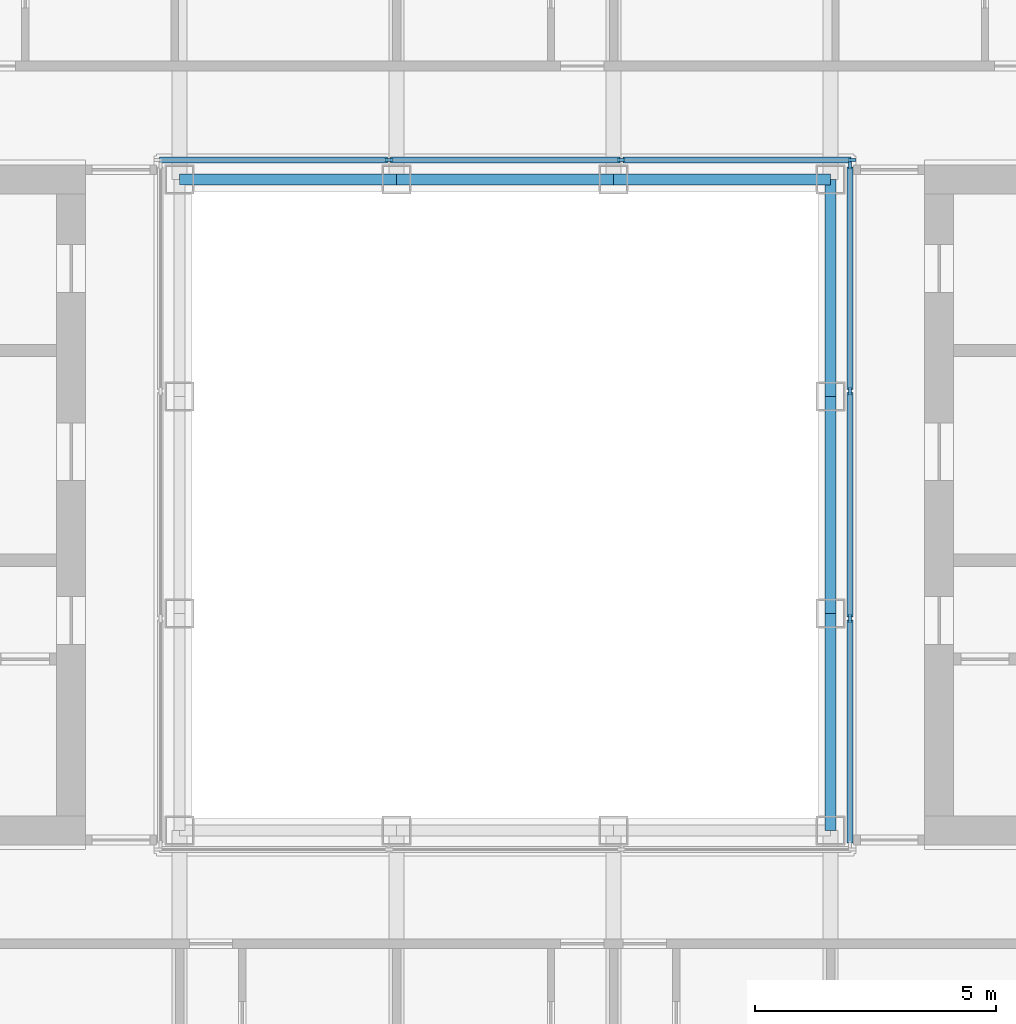
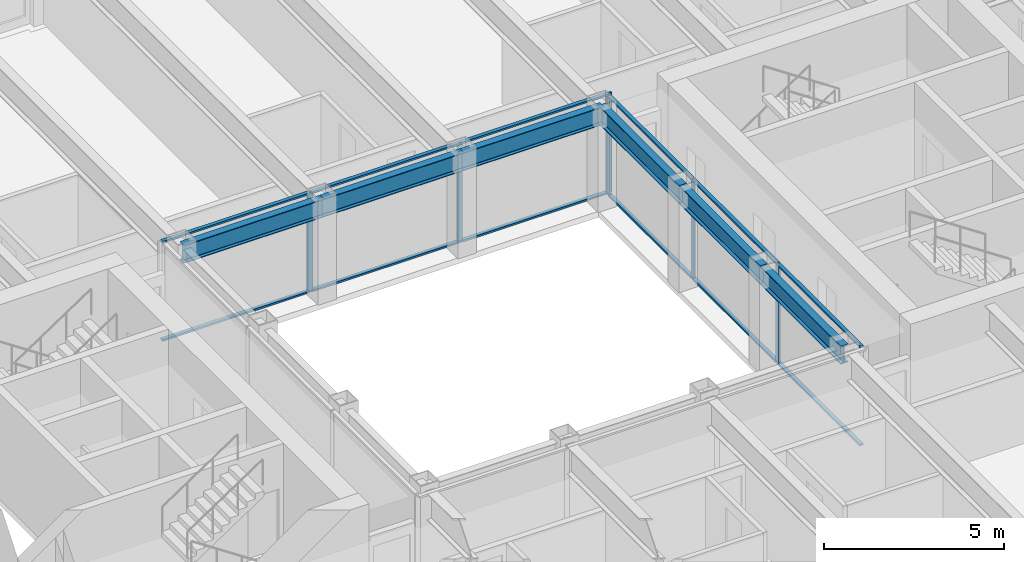
# One storey, part 5 of 17: 18 members, 6 beams, 2 elements without a shape of their own.
"""IFC4 building model written with IfcOpenShell, lengths in metres."""

import ifcopenshell
import ifcopenshell.guid

model = None  # the IFC model being written
_history = None  # IfcOwnerHistory: only IFC2X3 demands one
_inside = {}  # id of a spatial element -> (the spatial element, [elements in it])
_under = {}  # id of a project, library or spatial element -> (it, [spatial elements below it])
_declared = {}  # id of a project -> (the project, [libraries it declares])
_typed = {}  # id of a type object -> (the type object, [elements of that type])
_made_of = {}  # id of a material, layer set ... -> (it, [elements and type objects made of it])


def new_model(schema):
    """Start an empty IFC model of exactly this schema.

    Asked for "IFC4X3", IfcOpenShell would pick the latest addendum, in which some entities
    have other attributes; the version numbers below select the first issue.
    IFC2X3 requires an IfcOwnerHistory on every rooted entity: one is made here for all.
    """
    global model, _history
    if schema == "IFC4X3":
        model = ifcopenshell.file(schema_version=(4, 3, 0, 0))
    else:
        model = ifcopenshell.file(schema=schema)
    _inside.clear()
    _under.clear()
    _declared.clear()
    _typed.clear()
    _made_of.clear()
    _history = None
    if model.schema == "IFC2X3":
        org = make("IfcOrganization", Name="unknown")
        user = make(
            "IfcPersonAndOrganization",
            ThePerson=make("IfcPerson", FamilyName="unknown"),
            TheOrganization=org,
        )
        app = make(
            "IfcApplication",
            ApplicationDeveloper=org,
            Version="unknown",
            ApplicationFullName="unknown",
            ApplicationIdentifier="unknown",
        )
        _history = make(
            "IfcOwnerHistory",
            OwningUser=user,
            OwningApplication=app,
            ChangeAction="ADDED",
            CreationDate=0,
        )
    return model


def make(cls, **values):
    """One entity of the class cls with the attributes given. An attribute that is None is left unset."""
    return model.create_entity(
        cls, **{name: value for name, value in values.items() if value is not None}
    )


def rooted(cls, **values):
    """An entity with a GlobalId (a new one), such as an element, a storey or a relation."""
    return make(cls, GlobalId=ifcopenshell.guid.new(), OwnerHistory=_history, **values)


def si_unit(unit_type, name, prefix=None):
    """IfcSIUnit, for example si_unit("LENGTHUNIT", "METRE", prefix="MILLI")."""
    return make("IfcSIUnit", UnitType=unit_type, Prefix=prefix, Name=name)


def assignment(units):
    """IfcUnitAssignment: the units of a project."""
    return None if units is None else make("IfcUnitAssignment", Units=units)


def point(xyz):
    """IfcCartesianPoint."""
    return None if xyz is None else make("IfcCartesianPoint", Coordinates=xyz)


def direction(xyz):
    """IfcDirection."""
    return None if xyz is None else make("IfcDirection", DirectionRatios=xyz)


def frame(location, z_axis=None, x_axis=None):
    """IfcAxis2Placement3D, a coordinate frame: its origin and axes. An axis left out is left unset."""
    return make(
        "IfcAxis2Placement3D",
        Location=point(location),
        Axis=direction(z_axis),
        RefDirection=direction(x_axis),
    )


def frame_2d(location, x_axis=None):
    """IfcAxis2Placement2D, a coordinate frame in the plane: its origin and x axis."""
    return make(
        "IfcAxis2Placement2D", Location=point(location), RefDirection=direction(x_axis)
    )


def origin():
    """The frame at (0, 0, 0) with its axes left unset."""
    return frame((0.0, 0.0, 0.0))


def origin_2d():
    """The frame at (0, 0) in the plane with its x axis left unset."""
    return frame_2d((0.0, 0.0))


def place(relative_to, where):
    """IfcLocalPlacement: puts the frame where relative to a parent placement (None: the world)."""
    return make(
        "IfcLocalPlacement", PlacementRelTo=relative_to, RelativePlacement=where
    )


def context(
    kind, dimensions, precision=None, world=None, true_north=None, identifier=None
):
    """IfcGeometricRepresentationContext, for example the 3D "Model" context."""
    return make(
        "IfcGeometricRepresentationContext",
        ContextIdentifier=identifier,
        ContextType=kind,
        CoordinateSpaceDimension=dimensions,
        Precision=precision,
        WorldCoordinateSystem=world,
        TrueNorth=true_north,
    )


def subcontext(parent, identifier, kind, view, scale=None):
    """IfcGeometricRepresentationSubContext, for example "Body" below "Model"."""
    return make(
        "IfcGeometricRepresentationSubContext",
        ContextIdentifier=identifier,
        ContextType=kind,
        ParentContext=parent,
        TargetScale=scale,
        TargetView=view,
    )


def project(units=None, contexts=None):
    """IfcProject with its units and contexts."""
    return rooted(
        "IfcProject",
        Name="project",
        RepresentationContexts=contexts,
        UnitsInContext=assignment(units),
    )


def spatial(cls, under=None, at=None, **own):
    """A site, building, storey or space (cls), placed at a placement, below another one or the project."""
    s = rooted(cls, ObjectPlacement=at, **own)
    if under is not None:
        _under.setdefault(under.id(), (under, []))[1].append(s)
    return s


def profile(cls, at=None, kind="AREA", **sizes):
    """A parametric profile (cls). Its sizes go by their IFC names, for example OverallWidth=200.0."""
    return make(cls, ProfileType=kind, Position=at, **sizes)


def rectangle(**sizes):
    """IfcRectangleProfileDef."""
    return profile("IfcRectangleProfileDef", **sizes)


def i_section(**sizes):
    """IfcIShapeProfileDef."""
    return profile("IfcIShapeProfileDef", **sizes)


def extrude(swept, where, along, depth):
    """IfcExtrudedAreaSolid: the profile swept, set in the frame where, extruded along a direction by depth."""
    return make(
        "IfcExtrudedAreaSolid",
        SweptArea=swept,
        Position=where,
        ExtrudedDirection=direction(along),
        Depth=depth,
    )


def shape(context_of_items, identifier, shape_type, items):
    """IfcShapeRepresentation: the items that make up one representation, for example the "Body"."""
    return make(
        "IfcShapeRepresentation",
        ContextOfItems=context_of_items,
        RepresentationIdentifier=identifier,
        RepresentationType=shape_type,
        Items=items,
    )


def material(Name=None, Category=None):
    """IfcMaterial."""
    return make("IfcMaterial", Name=Name, Category=Category)


def material_profile(
    of_material, cross_section, Name=None, Category=None, Priority=None
):
    """IfcMaterialProfile: a cross section and its material."""
    return make(
        "IfcMaterialProfile",
        Name=Name,
        Material=of_material,
        Profile=cross_section,
        Priority=Priority,
        Category=Category,
    )


def profile_set(profiles, Name=None, composite=None):
    """IfcMaterialProfileSet."""
    return make(
        "IfcMaterialProfileSet",
        Name=Name,
        MaterialProfiles=profiles,
        CompositeProfile=composite,
    )


def made_of(thing, what):
    """Note that an element or type object is made of a material, layer set ...; save() writes the relation."""
    if what is not None:
        _made_of.setdefault(what.id(), (what, []))[1].append(thing)
    return thing


def type_object(cls, material=None, **own):
    """A type object (cls), such as IfcWallType, which elements share."""
    return made_of(rooted(cls, **own), material)


def element(
    cls,
    number,
    at=None,
    inside=None,
    cuts=None,
    type_object=None,
    material=None,
    context=None,
    identifier="Body",
    shape_type=None,
    held_by="IfcProductDefinitionShape",
    body=None,
    shapes=None,
    **own,
):
    """One element of the class cls, such as IfcWall. Its Tag is "e" and its number.

    at: its placement. inside: the storey or other place that contains it. cuts: it is an
    opening in that element (IfcRelVoidsElement). A single representation is given by context,
    identifier, shape_type and body (its items); several are given by shapes. held_by: the class
    of the entity that holds the representations. save() writes the other relations.
    """
    e = rooted(cls, Tag="e%d" % number, ObjectPlacement=at, **own)
    if body is not None:
        shapes = [shape(context, identifier, shape_type, body)]
    if shapes is not None:
        e.Representation = make(held_by, Representations=shapes)
    if inside is not None:
        _inside.setdefault(inside.id(), (inside, []))[1].append(e)
    if cuts is not None:
        rooted(
            "IfcRelVoidsElement", RelatingBuildingElement=cuts, RelatedOpeningElement=e
        )
    if type_object is not None:
        _typed.setdefault(type_object.id(), (type_object, []))[1].append(e)
    return made_of(e, material)


def aggregate(whole, parts):
    """IfcRelAggregates: a whole, such as a stair, and the parts it consists of."""
    return rooted("IfcRelAggregates", RelatingObject=whole, RelatedObjects=parts)


def save(model, path):
    """Write the relations noted so far, then the file.

    IfcRelAggregates (storeys below a building ...), IfcRelContainedInSpatialStructure (elements
    in a storey), IfcRelDefinesByType, IfcRelAssociatesMaterial and IfcRelDeclares: one each for
    every whole, place, type object, material and project.
    """
    for whole, parts in _under.values():
        aggregate(whole, parts)
    for where, things in _inside.values():
        rooted(
            "IfcRelContainedInSpatialStructure",
            RelatedElements=things,
            RelatingStructure=where,
        )
    for kind, things in _typed.values():
        rooted("IfcRelDefinesByType", RelatedObjects=things, RelatingType=kind)
    for what, things in _made_of.values():
        rooted("IfcRelAssociatesMaterial", RelatedObjects=things, RelatingMaterial=what)
    for by, libraries in _declared.values():
        rooted("IfcRelDeclares", RelatingContext=by, RelatedDefinitions=libraries)
    model.write(path)


model = new_model("IFC4")

# Units and contexts
model_context = context("Model", 3, precision=1e-05, world=origin(), true_north=direction((0.0, 1.0)))
body_context = subcontext(model_context, "Body", "Model", "MODEL_VIEW")
ifc_project = project(units=[si_unit("LENGTHUNIT", "METRE"), si_unit("AREAUNIT", "SQUARE_METRE"), si_unit("VOLUMEUNIT", "CUBIC_METRE"), si_unit("PLANEANGLEUNIT", "RADIAN"), si_unit("MASSUNIT", "GRAM", prefix="KILO")], contexts=[model_context])

# Site, building, storey
site_placement = place(None, origin())
site = spatial("IfcSite", under=ifc_project, at=site_placement, CompositionType="ELEMENT")
building_placement = place(site_placement, origin())
building = spatial("IfcBuilding", under=site, at=building_placement, Name="Msasa Ring Tower", CompositionType="ELEMENT")
storey_placement = place(building_placement, frame((0.0, 0.0, 158.0)))
storey = spatial("IfcBuildingStorey", under=building, at=storey_placement, Name="L41", CompositionType="ELEMENT", Elevation=158.0)

# Curtain wall, members
ifc_material_1 = material(Name="Aluminium curtain wall with clear glass", Category="aluminium")
curtain_wall_type = type_object("IfcCurtainWallType", Name="CW-W LIGHT WELL CURTAIN WALL", PredefinedType="NOTDEFINED", material=ifc_material_1)
curtain_wall_1_placement = place(storey_placement, origin())
curtain_wall_1 = element("IfcCurtainWall", 1, at=curtain_wall_1_placement, inside=storey, type_object=curtain_wall_type, Name="Light well curtain wall N L41", PredefinedType="NOTDEFINED")
ifc_material_2 = material(Name="Aluminium mullion", Category="aluminium")
ifc_material_profile_1 = material_profile(ifc_material_2, rectangle(XDim=0.06005859375, YDim=0.159912109375, at=origin_2d()), Name="AL 60x160")
ifc_profile_set_1 = profile_set([ifc_material_profile_1], Name="Aluminium mullion")
member_type_1 = type_object("IfcMemberType", Name="CW-W MULLION 60x160", PredefinedType="MULLION", material=ifc_profile_set_1)
member_1_placement = place(storey_placement, frame((-2.409912109375, 7.14990234375, 0.0), z_axis=(0.0, 0.0, 1.0), x_axis=(0.0, 1.0, 0.0)))
member_1 = element("IfcMember", 2, at=member_1_placement, type_object=member_type_1, Name="CW-W mullion 2", PredefinedType="MULLION", context=body_context, shape_type="SweptSolid", body=[
    extrude(rectangle(XDim=0.06005859375, YDim=0.159912109375, at=origin_2d()), origin(), (0.0, 0.0, 1.0), 3.39990234375),
])
member_2_placement = place(storey_placement, frame((2.409912109375, 7.14990234375, 0.0), z_axis=(0.0, 0.0, 1.0), x_axis=(0.0, 1.0, 0.0)))
member_2 = element("IfcMember", 3, at=member_2_placement, type_object=member_type_1, Name="CW-W mullion 3", PredefinedType="MULLION", context=body_context, shape_type="SweptSolid", body=[
    extrude(rectangle(XDim=0.06005859375, YDim=0.159912109375, at=origin_2d()), origin(), (0.0, 0.0, 1.0), 3.39990234375),
])
member_3_placement = place(storey_placement, frame((7.199951171875, 7.14990234375, 0.0), z_axis=(0.0, 0.0, 1.0), x_axis=(0.0, 1.0, 0.0)))
member_3 = element("IfcMember", 4, at=member_3_placement, type_object=member_type_1, Name="CW-W mullion 4", PredefinedType="MULLION", context=body_context, shape_type="SweptSolid", body=[
    extrude(rectangle(XDim=0.06005859375, YDim=0.159912109375, at=origin_2d()), origin(), (0.0, 0.0, 1.0), 3.39990234375),
])

curtain_wall_2_placement = place(storey_placement, origin())
curtain_wall_2 = element("IfcCurtainWall", 5, at=curtain_wall_2_placement, inside=storey, type_object=curtain_wall_type, Name="Light well curtain wall E L41", PredefinedType="NOTDEFINED")
member_4_placement = place(storey_placement, frame((7.14990234375, -2.356689453125, 0.0), z_axis=(0.0, 0.0, 1.0), x_axis=(-1.0, 0.0, 0.0)))
member_4 = element("IfcMember", 6, at=member_4_placement, type_object=member_type_1, Name="CW-W mullion 2", PredefinedType="MULLION", context=body_context, shape_type="SweptSolid", body=[
    extrude(rectangle(XDim=0.06005859375, YDim=0.159912109375, at=origin_2d()), origin(), (0.0, 0.0, 1.0), 3.39990234375),
])
member_5_placement = place(storey_placement, frame((7.14990234375, 2.356689453125, 0.0), z_axis=(0.0, 0.0, 1.0), x_axis=(-1.0, 0.0, 0.0)))
member_5 = element("IfcMember", 7, at=member_5_placement, type_object=member_type_1, Name="CW-W mullion 3", PredefinedType="MULLION", context=body_context, shape_type="SweptSolid", body=[
    extrude(rectangle(XDim=0.06005859375, YDim=0.159912109375, at=origin_2d()), origin(), (0.0, 0.0, 1.0), 3.39990234375),
])
member_6_placement = place(storey_placement, frame((7.14990234375, 7.0400390625, 0.0), z_axis=(0.0, 0.0, 1.0), x_axis=(-1.0, 0.0, 0.0)))
member_6 = element("IfcMember", 8, at=member_6_placement, type_object=member_type_1, Name="CW-W mullion 4", PredefinedType="MULLION", context=body_context, shape_type="SweptSolid", body=[
    extrude(rectangle(XDim=0.06005859375, YDim=0.159912109375, at=origin_2d()), origin(), (0.0, 0.0, 1.0), 3.39990234375),
])

# Member
ifc_material_3 = material(Name="Aluminium transom", Category="aluminium")
ifc_material_profile_2 = material_profile(ifc_material_3, rectangle(XDim=0.1201171875, YDim=0.06005859375, at=origin_2d()), Name="AL 60x120")
ifc_profile_set_2 = profile_set([ifc_material_profile_2], Name="Aluminium transom")
member_type_2 = type_object("IfcMemberType", Name="CW-W TRANSOM 60x120", PredefinedType="USERDEFINED", material=ifc_profile_set_2)
member_7_placement = place(storey_placement, frame((-7.169921875, 7.14990234375, 0.030029296875), z_axis=(1.0, 0.0, 0.0), x_axis=(0.0, 1.0, 0.0)))
member_7 = element("IfcMember", 9, at=member_7_placement, type_object=member_type_2, Name="CW-W transom 1.1", ObjectType="TRANSOM", PredefinedType="USERDEFINED", context=body_context, shape_type="SweptSolid", body=[
    extrude(rectangle(XDim=0.1201171875, YDim=0.06005859375, at=origin_2d()), origin(), (0.0, 0.0, 1.0), 4.72998046875),
])

member_8_placement = place(storey_placement, frame((-7.169921875, 7.14990234375, 3.3701171875), z_axis=(1.0, 0.0, 0.0), x_axis=(0.0, 1.0, 0.0)))
member_8 = element("IfcMember", 10, at=member_8_placement, type_object=member_type_2, Name="CW-W transom 1.2", ObjectType="TRANSOM", PredefinedType="USERDEFINED", context=body_context, shape_type="SweptSolid", body=[
    extrude(rectangle(XDim=0.1201171875, YDim=0.06005859375, at=origin_2d()), origin(), (0.0, 0.0, 1.0), 4.72998046875),
])

member_9_placement = place(storey_placement, frame((-2.3798828125, 7.14990234375, 0.030029296875), z_axis=(1.0, 0.0, 0.0), x_axis=(0.0, 1.0, 0.0)))
member_9 = element("IfcMember", 11, at=member_9_placement, type_object=member_type_2, Name="CW-W transom 2.1", ObjectType="TRANSOM", PredefinedType="USERDEFINED", context=body_context, shape_type="SweptSolid", body=[
    extrude(rectangle(XDim=0.1201171875, YDim=0.06005859375, at=origin_2d()), origin(), (0.0, 0.0, 1.0), 4.759765625),
])

member_10_placement = place(storey_placement, frame((-2.3798828125, 7.14990234375, 3.3701171875), z_axis=(1.0, 0.0, 0.0), x_axis=(0.0, 1.0, 0.0)))
member_10 = element("IfcMember", 12, at=member_10_placement, type_object=member_type_2, Name="CW-W transom 2.2", ObjectType="TRANSOM", PredefinedType="USERDEFINED", context=body_context, shape_type="SweptSolid", body=[
    extrude(rectangle(XDim=0.1201171875, YDim=0.06005859375, at=origin_2d()), origin(), (0.0, 0.0, 1.0), 4.759765625),
])

member_11_placement = place(storey_placement, frame((2.43994140625, 7.14990234375, 0.030029296875), z_axis=(1.0, 0.0, 0.0), x_axis=(0.0, 1.0, 0.0)))
member_11 = element("IfcMember", 13, at=member_11_placement, type_object=member_type_2, Name="CW-W transom 3.1", ObjectType="TRANSOM", PredefinedType="USERDEFINED", context=body_context, shape_type="SweptSolid", body=[
    extrude(rectangle(XDim=0.1201171875, YDim=0.06005859375, at=origin_2d()), origin(), (0.0, 0.0, 1.0), 4.72998046875),
])

member_12_placement = place(storey_placement, frame((2.43994140625, 7.14990234375, 3.3701171875), z_axis=(1.0, 0.0, 0.0), x_axis=(0.0, 1.0, 0.0)))
member_12 = element("IfcMember", 14, at=member_12_placement, type_object=member_type_2, Name="CW-W transom 3.2", ObjectType="TRANSOM", PredefinedType="USERDEFINED", context=body_context, shape_type="SweptSolid", body=[
    extrude(rectangle(XDim=0.1201171875, YDim=0.06005859375, at=origin_2d()), origin(), (0.0, 0.0, 1.0), 4.72998046875),
])

aggregate(curtain_wall_1, [member_1, member_2, member_3, member_7, member_8, member_9, member_10, member_11, member_12])

member_13_placement = place(storey_placement, frame((7.14990234375, -7.010009765625, 0.030029296875), z_axis=(0.0, 1.0, 0.0), x_axis=(-1.0, 0.0, 0.0)))
member_13 = element("IfcMember", 15, at=member_13_placement, type_object=member_type_2, Name="CW-W transom 1.1", ObjectType="TRANSOM", PredefinedType="USERDEFINED", context=body_context, shape_type="SweptSolid", body=[
    extrude(rectangle(XDim=0.1201171875, YDim=0.06005859375, at=origin_2d()), origin(), (0.0, 0.0, 1.0), 4.623291015625),
])

member_14_placement = place(storey_placement, frame((7.14990234375, -7.010009765625, 3.3701171875), z_axis=(0.0, 1.0, 0.0), x_axis=(-1.0, 0.0, 0.0)))
member_14 = element("IfcMember", 16, at=member_14_placement, type_object=member_type_2, Name="CW-W transom 1.2", ObjectType="TRANSOM", PredefinedType="USERDEFINED", context=body_context, shape_type="SweptSolid", body=[
    extrude(rectangle(XDim=0.1201171875, YDim=0.06005859375, at=origin_2d()), origin(), (0.0, 0.0, 1.0), 4.623291015625),
])

member_15_placement = place(storey_placement, frame((7.14990234375, -2.32666015625, 0.030029296875), z_axis=(0.0, 1.0, 0.0), x_axis=(-1.0, 0.0, 0.0)))
member_15 = element("IfcMember", 17, at=member_15_placement, type_object=member_type_2, Name="CW-W transom 2.1", ObjectType="TRANSOM", PredefinedType="USERDEFINED", context=body_context, shape_type="SweptSolid", body=[
    extrude(rectangle(XDim=0.1201171875, YDim=0.06005859375, at=origin_2d()), origin(), (0.0, 0.0, 1.0), 4.6533203125),
])

member_16_placement = place(storey_placement, frame((7.14990234375, -2.32666015625, 3.3701171875), z_axis=(0.0, 1.0, 0.0), x_axis=(-1.0, 0.0, 0.0)))
member_16 = element("IfcMember", 18, at=member_16_placement, type_object=member_type_2, Name="CW-W transom 2.2", ObjectType="TRANSOM", PredefinedType="USERDEFINED", context=body_context, shape_type="SweptSolid", body=[
    extrude(rectangle(XDim=0.1201171875, YDim=0.06005859375, at=origin_2d()), origin(), (0.0, 0.0, 1.0), 4.6533203125),
])

member_17_placement = place(storey_placement, frame((7.14990234375, 2.38671875, 0.030029296875), z_axis=(0.0, 1.0, 0.0), x_axis=(-1.0, 0.0, 0.0)))
member_17 = element("IfcMember", 19, at=member_17_placement, type_object=member_type_2, Name="CW-W transom 3.1", ObjectType="TRANSOM", PredefinedType="USERDEFINED", context=body_context, shape_type="SweptSolid", body=[
    extrude(rectangle(XDim=0.1201171875, YDim=0.06005859375, at=origin_2d()), origin(), (0.0, 0.0, 1.0), 4.623291015625),
])

member_18_placement = place(storey_placement, frame((7.14990234375, 2.38671875, 3.3701171875), z_axis=(0.0, 1.0, 0.0), x_axis=(-1.0, 0.0, 0.0)))
member_18 = element("IfcMember", 20, at=member_18_placement, type_object=member_type_2, Name="CW-W transom 3.2", ObjectType="TRANSOM", PredefinedType="USERDEFINED", context=body_context, shape_type="SweptSolid", body=[
    extrude(rectangle(XDim=0.1201171875, YDim=0.06005859375, at=origin_2d()), origin(), (0.0, 0.0, 1.0), 4.623291015625),
])

aggregate(curtain_wall_2, [member_4, member_5, member_6, member_13, member_14, member_15, member_16, member_17, member_18])

# Beams
ifc_material_4 = material(Name="Steel S355", Category="steel")
ifc_material_profile_3 = material_profile(ifc_material_4, i_section(OverallWidth=0.230224609375, OverallDepth=0.6171875, WebThickness=0.01318359375, FlangeThickness=0.022216796875, FilletRadius=0.0126953125, at=origin_2d()), Name="UB 610x229x140")
ifc_profile_set_3 = profile_set([ifc_material_profile_3], Name="Steel S355")
beam_type = type_object("IfcBeamType", Name="RB1 UB 610x229x140", PredefinedType="BEAM", material=ifc_profile_set_3)
for number, where, z_axis, x_axis, name in (
    (21, (6.75, -6.75, 3.09130859375), (0.0, 1.0, 0.0), (-1.0, 0.0, 0.0), "Inner ring beam IR+6.75-6.75 under L42"),
    (22, (6.75, -2.25, 3.09130859375), (0.0, 1.0, 0.0), (-1.0, 0.0, 0.0), "Inner ring beam IR+6.75-2.25 under L42"),
    (23, (6.75, 2.25, 3.09130859375), (0.0, 1.0, 0.0), (-1.0, 0.0, 0.0), "Inner ring beam IR+6.75+2.25 under L42"),
    (24, (6.75, 6.75, 3.09130859375), (-1.0, 0.0, 0.0), (0.0, -1.0, 0.0), "Inner ring beam IR+6.75+6.75 under L42"),
    (25, (2.25, 6.75, 3.09130859375), (-1.0, 0.0, 0.0), (0.0, -1.0, 0.0), "Inner ring beam IR+2.25+6.75 under L42"),
    (26, (-2.25, 6.75, 3.09130859375), (-1.0, 0.0, 0.0), (0.0, -1.0, 0.0), "Inner ring beam IR-2.25+6.75 under L42"),
):
    element("IfcBeam", number, at=place(storey_placement, frame(where, z_axis=z_axis, x_axis=x_axis)), inside=storey, type_object=beam_type, Name=name, PredefinedType="BEAM", context=body_context, shape_type="SweptSolid", body=[
        extrude(i_section(OverallWidth=0.230224609375, OverallDepth=0.6171875, WebThickness=0.01318359375, FlangeThickness=0.022216796875, FilletRadius=0.0126953125, at=origin_2d()), origin(), (0.0, 0.0, 1.0), 4.5),
    ])

save(model, "model.ifc")
